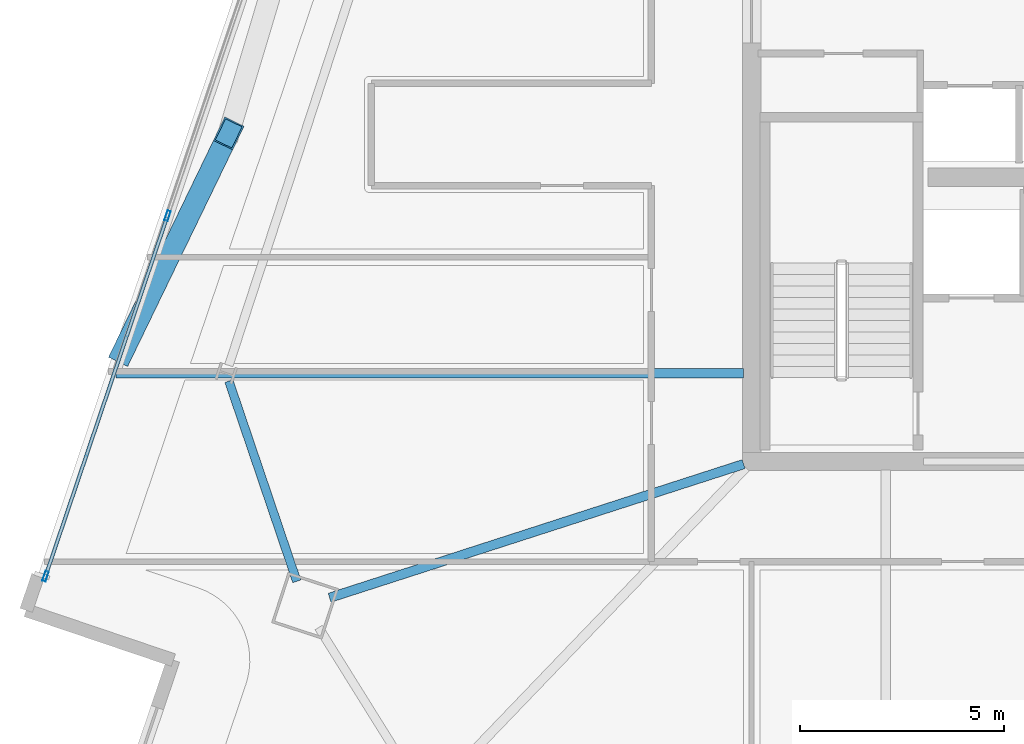
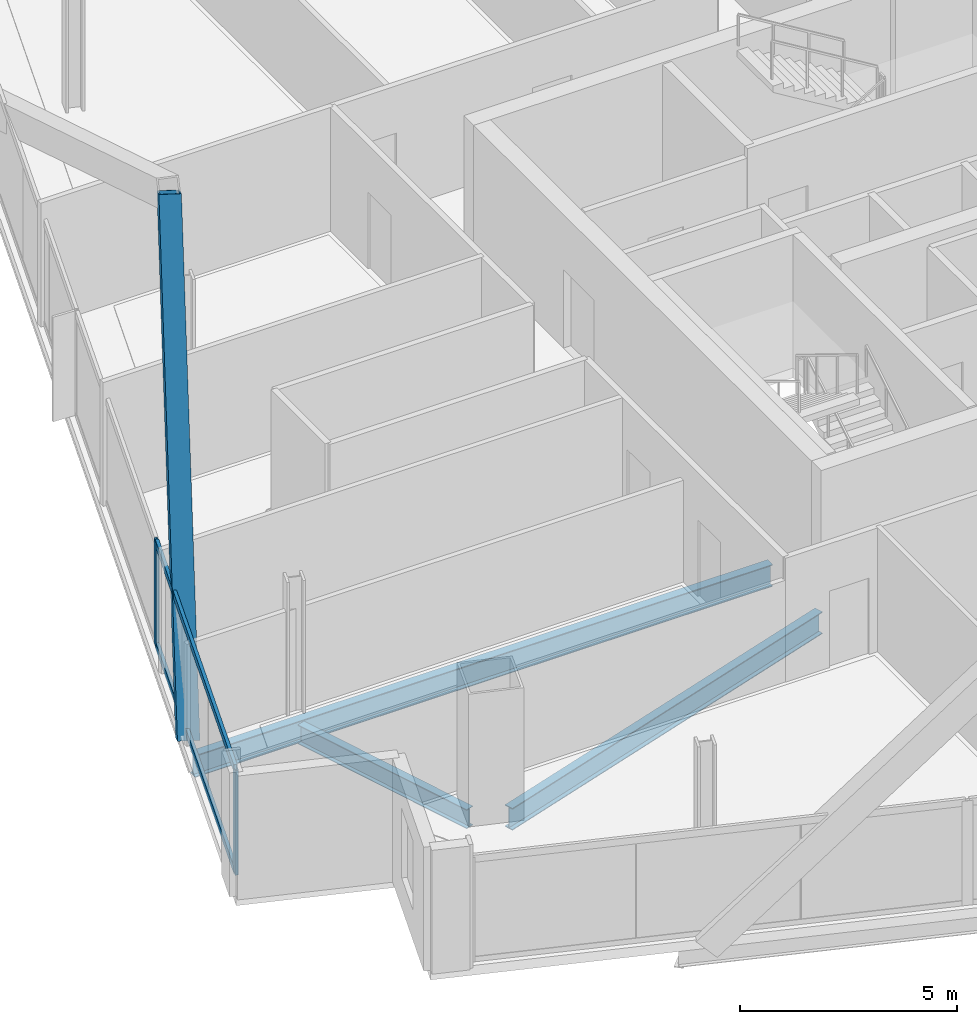
# One storey, part 5 of 29: 5 members, 3 beams, 1 element without a shape of its own.
"""IFC4 building model written with IfcOpenShell, lengths in metres."""

from ifc_helpers import new_model, si_unit, direction, frame, origin, origin_2d, place, context, subcontext, project, spatial, hollow_rectangle, i_section, extrude, material, material_profile, profile_set, type_object, element, aggregate, save


model = new_model("IFC4")

# Units and contexts
model_context = context("Model", 3, precision=1e-05, world=origin(), true_north=direction((0.0, 1.0)))
body_context = subcontext(model_context, "Body", "Model", "MODEL_VIEW")
ifc_project = project(units=[si_unit("LENGTHUNIT", "METRE"), si_unit("AREAUNIT", "SQUARE_METRE"), si_unit("VOLUMEUNIT", "CUBIC_METRE"), si_unit("PLANEANGLEUNIT", "RADIAN"), si_unit("MASSUNIT", "GRAM", prefix="KILO")], contexts=[model_context])

# Site, building, storey
site_placement = place(None, origin())
site = spatial("IfcSite", under=ifc_project, at=site_placement, CompositionType="ELEMENT")
building_placement = place(site_placement, origin())
building = spatial("IfcBuilding", under=site, at=building_placement, Name="Haldenkirk Collegiate Tower", CompositionType="ELEMENT")
storey_placement = place(building_placement, frame((0.0, 0.0, 267.449951171875)))
storey = spatial("IfcBuildingStorey", under=building, at=storey_placement, Name="L67", CompositionType="ELEMENT", Elevation=267.449951171875)

# Beams
ifc_material_1 = material(Name="Steel ASTM A992 Grade 50", Category="steel")
ifc_material_profile_1 = material_profile(ifc_material_1, i_section(OverallWidth=0.22998046875, OverallDepth=0.616943359375, WebThickness=0.01318359375, FlangeThickness=0.022216796875, at=origin_2d()), Name="W24X94")
ifc_profile_set_1 = profile_set([ifc_material_profile_1], Name="Steel ASTM A992 Grade 50")
beam_type_1 = type_object("IfcBeamType", Name="BM-GIRDER-W24X94", PredefinedType="BEAM", material=ifc_profile_set_1)
beam_1_placement = place(storey_placement, frame((16.677001953125, 14.66796875, -0.578369140625), z_axis=(0.95165454957, 0.307170340824, 0.0), x_axis=(-0.307170340824, 0.95165454957, 0.0)))
element("IfcBeam", 1, at=beam_1_placement, inside=storey, type_object=beam_type_1, Name="L67 primary floor girder 04", PredefinedType="BEAM", context=body_context, shape_type="SweptSolid", body=[
    extrude(i_section(OverallWidth=0.22998046875, OverallDepth=0.616943359375, WebThickness=0.01318359375, FlangeThickness=0.022216796875, at=origin_2d()), origin(), (0.0, 0.0, 1.0), 10.642333984375),
])
beam_2_placement = place(storey_placement, frame((11.450927734375, 20.157958984375, -0.578369140625), z_axis=(1.0, 0.0, 0.0), x_axis=(0.0, 1.0, 0.0)))
element("IfcBeam", 2, at=beam_2_placement, inside=storey, type_object=beam_type_1, Name="L67 primary floor girder 13", PredefinedType="BEAM", context=body_context, shape_type="SweptSolid", body=[
    extrude(i_section(OverallWidth=0.22998046875, OverallDepth=0.616943359375, WebThickness=0.01318359375, FlangeThickness=0.022216796875, at=origin_2d()), origin(), (0.0, 0.0, 1.0), 15.343994140625),
])
ifc_material_profile_2 = material_profile(ifc_material_1, i_section(OverallWidth=0.2099609375, OverallDepth=0.537109375, WebThickness=0.010986328125, FlangeThickness=0.017333984375, at=origin_2d()), Name="W21X68")
ifc_profile_set_2 = profile_set([ifc_material_profile_2], Name="Steel ASTM A992 Grade 50")
beam_type_2 = type_object("IfcBeamType", Name="BM-SPANDREL-W21X68", PredefinedType="SPANDREL", material=ifc_profile_set_2)
beam_3_placement = place(storey_placement, frame((14.214599609375, 19.96630859375, -0.538330078125), z_axis=(0.321210878439, -0.947007693513, 0.0), x_axis=(0.947007693513, 0.321210878439, 0.0)))
element("IfcBeam", 3, at=beam_3_placement, inside=storey, type_object=beam_type_2, Name="L67 perimeter spandrel beam 12", PredefinedType="SPANDREL", context=body_context, shape_type="SweptSolid", body=[
    extrude(i_section(OverallWidth=0.2099609375, OverallDepth=0.537109375, WebThickness=0.010986328125, FlangeThickness=0.017333984375, at=origin_2d()), origin(), (0.0, 0.0, 1.0), 5.169189453125),
])

# Curtain wall, members
ifc_material_2 = material(Name="Anodised architectural bronze aluminium", Category="aluminium")
curtain_wall_type = type_object("IfcCurtainWallType", Name="CW-SYS1B-CONVEX-HI", PredefinedType="USERDEFINED", material=ifc_material_2)
curtain_wall_placement = place(storey_placement, origin())
curtain_wall = element("IfcCurtainWall", 4, at=curtain_wall_placement, inside=storey, type_object=curtain_wall_type, Name="L67 Upper tower high-wind convex bronze unitised curtain wall", ObjectType="UNITISED CURTAIN WALL", PredefinedType="USERDEFINED")
ifc_material_profile_3 = material_profile(ifc_material_2, hollow_rectangle(XDim=0.0849609375, YDim=0.25, WallThickness=0.0048828125, at=origin_2d()), Name="CW-MUL-1B")
ifc_profile_set_3 = profile_set([ifc_material_profile_3], Name="Anodised architectural bronze aluminium")
member_type_1 = type_object("IfcMemberType", Name="CW-MUL-1B", PredefinedType="MULLION", material=ifc_profile_set_3)
member_1_placement = place(storey_placement, frame((9.72900390625, 15.195068359375, 0.0), z_axis=(0.0, 0.0, 1.0), x_axis=(-0.947210585512, 0.320612081329, 0.0)))
member_1 = element("IfcMember", 5, at=member_1_placement, type_object=member_type_1, Name="CW-1B mullion 1", PredefinedType="MULLION", context=body_context, shape_type="SweptSolid", body=[
    extrude(hollow_rectangle(XDim=0.0849609375, YDim=0.25, WallThickness=0.0048828125, at=origin_2d()), origin(), (0.0, 0.0, 1.0), 2.93798828125),
])
member_2_placement = place(storey_placement, frame((12.713134765625, 24.01123046875, 0.0), z_axis=(0.0, 0.0, 1.0), x_axis=(-0.947210585512, 0.320612081329, 0.0)))
member_2 = element("IfcMember", 6, at=member_2_placement, type_object=member_type_1, Name="CW-1B mullion 2", PredefinedType="MULLION", context=body_context, shape_type="SweptSolid", body=[
    extrude(hollow_rectangle(XDim=0.0849609375, YDim=0.25, WallThickness=0.0048828125, at=origin_2d()), origin(), (0.0, 0.0, 1.0), 2.93798828125),
])
ifc_material_profile_4 = material_profile(ifc_material_2, hollow_rectangle(XDim=0.0849609375, YDim=0.199951171875, WallThickness=0.0048828125, at=origin_2d()), Name="CW-TRN-1B")
ifc_profile_set_4 = profile_set([ifc_material_profile_4], Name="Anodised architectural bronze aluminium")
member_type_2 = type_object("IfcMemberType", Name="CW-TRN-1B", PredefinedType="USERDEFINED", material=ifc_profile_set_4)
member_3_placement = place(storey_placement, frame((9.742431640625, 15.235107421875, 0.04248046875), z_axis=(0.320623944337, 0.947206570035, 0.0), x_axis=(-0.947206570035, 0.320623944337, 0.0)))
member_3 = element("IfcMember", 7, at=member_3_placement, type_object=member_type_2, Name="CW-1B transom 1.1", ObjectType="TRANSOM", PredefinedType="USERDEFINED", context=body_context, shape_type="SweptSolid", body=[
    extrude(hollow_rectangle(XDim=0.0849609375, YDim=0.199951171875, WallThickness=0.0048828125, at=origin_2d()), origin(), (0.0, 0.0, 1.0), 9.22265625),
])
member_4_placement = place(storey_placement, frame((9.742431640625, 15.235107421875, 2.8955078125), z_axis=(0.320623944337, 0.947206570035, 0.0), x_axis=(-0.947206570035, 0.320623944337, 0.0)))
member_4 = element("IfcMember", 8, at=member_4_placement, type_object=member_type_2, Name="CW-1B transom 1.2", ObjectType="TRANSOM", PredefinedType="USERDEFINED", context=body_context, shape_type="SweptSolid", body=[
    extrude(hollow_rectangle(XDim=0.0849609375, YDim=0.199951171875, WallThickness=0.0048828125, at=origin_2d()), origin(), (0.0, 0.0, 1.0), 9.22265625),
])
aggregate(curtain_wall, [member_1, member_2, member_3, member_4])

# Member
ifc_material_3 = material(Name="Steel ASTM A572 Grade 50", Category="steel")
ifc_material_profile_5 = material_profile(ifc_material_3, hollow_rectangle(XDim=0.52001953125, YDim=0.719970703125, WallThickness=0.035888671875, at=origin_2d()), Name="BOX720X520X36")
ifc_profile_set_5 = profile_set([ifc_material_profile_5], Name="Steel ASTM A572 Grade 50")
member_type_3 = type_object("IfcMemberType", Name="MBR-MEGABRACE-BOX720X520X36", PredefinedType="BRACE", material=ifc_profile_set_5)
member_5_placement = place(storey_placement, frame((11.643310546875, 20.726318359375, -0.280029296875), z_axis=(0.202095703376, 0.417361947786, 0.885983256736), x_axis=(-0.900035455625, 0.43581668006, 0.0)))
element("IfcMember", 9, at=member_5_placement, inside=storey, type_object=member_type_3, Name="Perimeter Mega Brace Z5 L67-L69 NR", PredefinedType="BRACE", context=body_context, shape_type="SweptSolid", body=[
    extrude(hollow_rectangle(XDim=0.52001953125, YDim=0.719970703125, WallThickness=0.035888671875, at=origin_2d()), origin(), (0.0, 0.0, 1.0), 12.69775390625),
])

save(model, "model.ifc")
